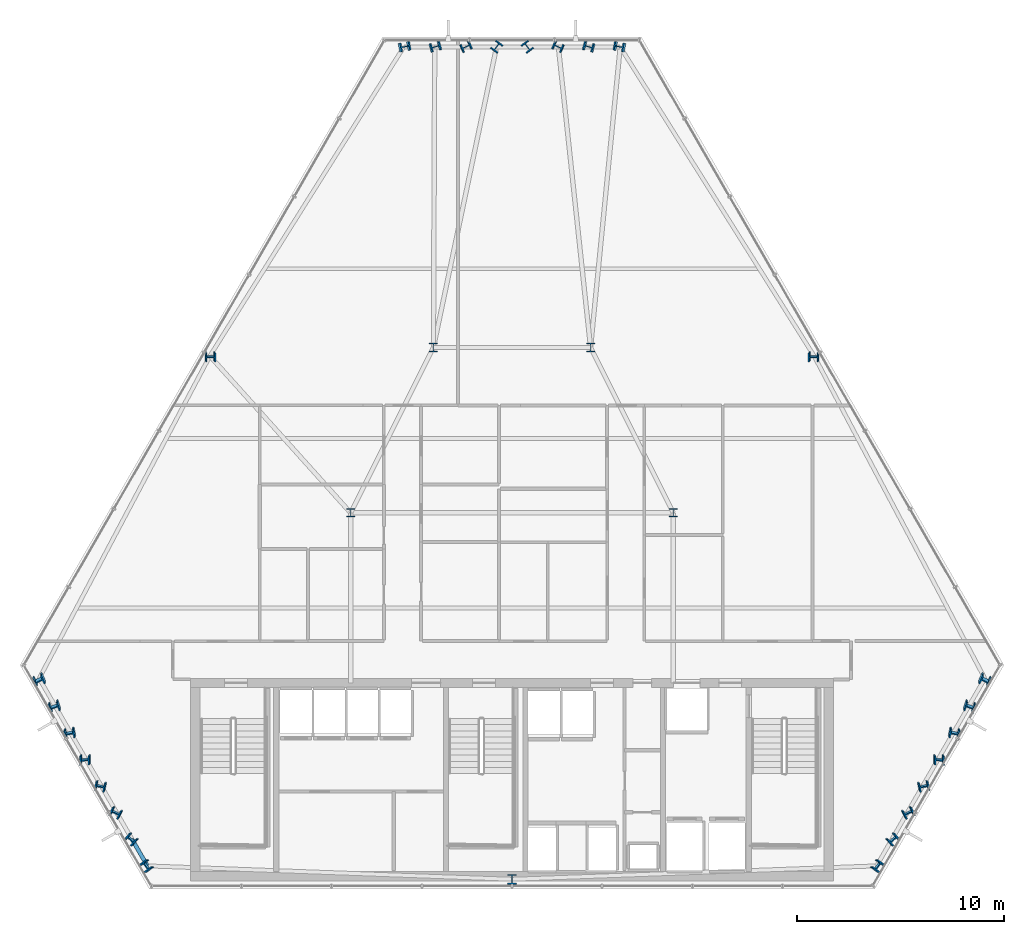
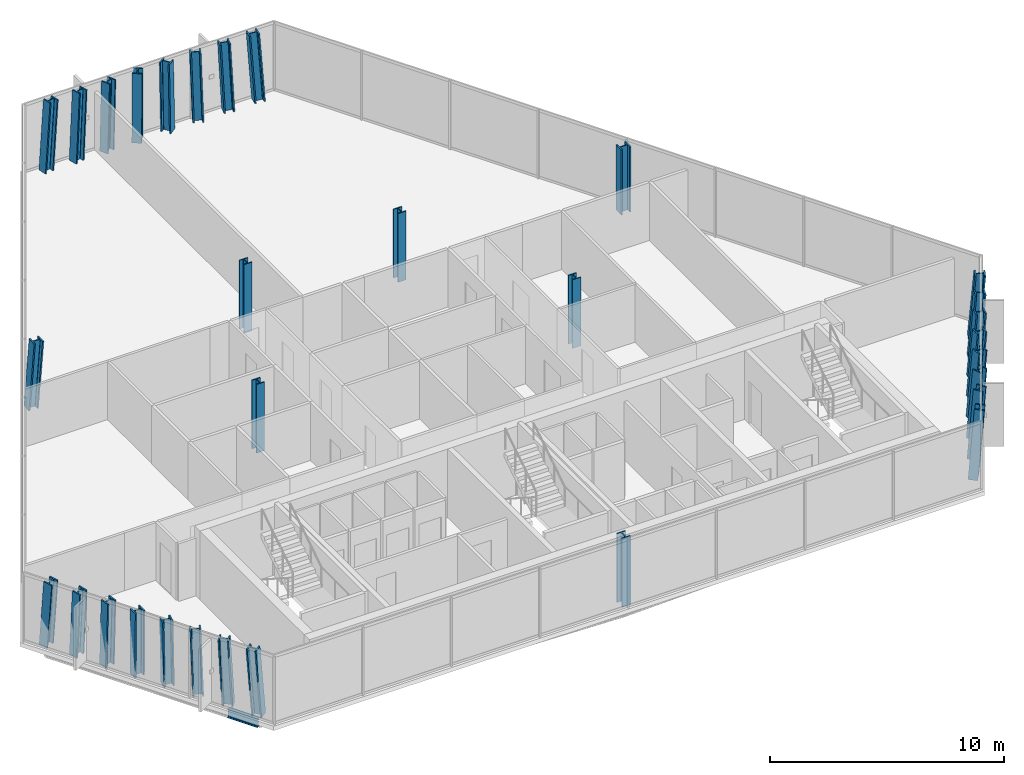
# One storey, part 1 of 32: 31 columns, 1 beam.
"""IFC4 building model written with IfcOpenShell, lengths in metres."""

import ifcopenshell
import ifcopenshell.guid

model = None  # the IFC model being written
_history = None  # IfcOwnerHistory: only IFC2X3 demands one
_inside = {}  # id of a spatial element -> (the spatial element, [elements in it])
_under = {}  # id of a project, library or spatial element -> (it, [spatial elements below it])
_declared = {}  # id of a project -> (the project, [libraries it declares])
_typed = {}  # id of a type object -> (the type object, [elements of that type])
_made_of = {}  # id of a material, layer set ... -> (it, [elements and type objects made of it])


def new_model(schema):
    """Start an empty IFC model of exactly this schema.

    Asked for "IFC4X3", IfcOpenShell would pick the latest addendum, in which some entities
    have other attributes; the version numbers below select the first issue.
    IFC2X3 requires an IfcOwnerHistory on every rooted entity: one is made here for all.
    """
    global model, _history
    if schema == "IFC4X3":
        model = ifcopenshell.file(schema_version=(4, 3, 0, 0))
    else:
        model = ifcopenshell.file(schema=schema)
    _inside.clear()
    _under.clear()
    _declared.clear()
    _typed.clear()
    _made_of.clear()
    _history = None
    if model.schema == "IFC2X3":
        org = make("IfcOrganization", Name="unknown")
        user = make(
            "IfcPersonAndOrganization",
            ThePerson=make("IfcPerson", FamilyName="unknown"),
            TheOrganization=org,
        )
        app = make(
            "IfcApplication",
            ApplicationDeveloper=org,
            Version="unknown",
            ApplicationFullName="unknown",
            ApplicationIdentifier="unknown",
        )
        _history = make(
            "IfcOwnerHistory",
            OwningUser=user,
            OwningApplication=app,
            ChangeAction="ADDED",
            CreationDate=0,
        )
    return model


def make(cls, **values):
    """One entity of the class cls with the attributes given. An attribute that is None is left unset."""
    return model.create_entity(
        cls, **{name: value for name, value in values.items() if value is not None}
    )


def rooted(cls, **values):
    """An entity with a GlobalId (a new one), such as an element, a storey or a relation."""
    return make(cls, GlobalId=ifcopenshell.guid.new(), OwnerHistory=_history, **values)


def si_unit(unit_type, name, prefix=None):
    """IfcSIUnit, for example si_unit("LENGTHUNIT", "METRE", prefix="MILLI")."""
    return make("IfcSIUnit", UnitType=unit_type, Prefix=prefix, Name=name)


def assignment(units):
    """IfcUnitAssignment: the units of a project."""
    return None if units is None else make("IfcUnitAssignment", Units=units)


def point(xyz):
    """IfcCartesianPoint."""
    return None if xyz is None else make("IfcCartesianPoint", Coordinates=xyz)


def direction(xyz):
    """IfcDirection."""
    return None if xyz is None else make("IfcDirection", DirectionRatios=xyz)


def frame(location, z_axis=None, x_axis=None):
    """IfcAxis2Placement3D, a coordinate frame: its origin and axes. An axis left out is left unset."""
    return make(
        "IfcAxis2Placement3D",
        Location=point(location),
        Axis=direction(z_axis),
        RefDirection=direction(x_axis),
    )


def frame_2d(location, x_axis=None):
    """IfcAxis2Placement2D, a coordinate frame in the plane: its origin and x axis."""
    return make(
        "IfcAxis2Placement2D", Location=point(location), RefDirection=direction(x_axis)
    )


def origin():
    """The frame at (0, 0, 0) with its axes left unset."""
    return frame((0.0, 0.0, 0.0))


def origin_2d():
    """The frame at (0, 0) in the plane with its x axis left unset."""
    return frame_2d((0.0, 0.0))


def place(relative_to, where):
    """IfcLocalPlacement: puts the frame where relative to a parent placement (None: the world)."""
    return make(
        "IfcLocalPlacement", PlacementRelTo=relative_to, RelativePlacement=where
    )


def context(
    kind, dimensions, precision=None, world=None, true_north=None, identifier=None
):
    """IfcGeometricRepresentationContext, for example the 3D "Model" context."""
    return make(
        "IfcGeometricRepresentationContext",
        ContextIdentifier=identifier,
        ContextType=kind,
        CoordinateSpaceDimension=dimensions,
        Precision=precision,
        WorldCoordinateSystem=world,
        TrueNorth=true_north,
    )


def subcontext(parent, identifier, kind, view, scale=None):
    """IfcGeometricRepresentationSubContext, for example "Body" below "Model"."""
    return make(
        "IfcGeometricRepresentationSubContext",
        ContextIdentifier=identifier,
        ContextType=kind,
        ParentContext=parent,
        TargetScale=scale,
        TargetView=view,
    )


def project(units=None, contexts=None):
    """IfcProject with its units and contexts."""
    return rooted(
        "IfcProject",
        Name="project",
        RepresentationContexts=contexts,
        UnitsInContext=assignment(units),
    )


def spatial(cls, under=None, at=None, **own):
    """A site, building, storey or space (cls), placed at a placement, below another one or the project."""
    s = rooted(cls, ObjectPlacement=at, **own)
    if under is not None:
        _under.setdefault(under.id(), (under, []))[1].append(s)
    return s


def profile(cls, at=None, kind="AREA", **sizes):
    """A parametric profile (cls). Its sizes go by their IFC names, for example OverallWidth=200.0."""
    return make(cls, ProfileType=kind, Position=at, **sizes)


def i_section(**sizes):
    """IfcIShapeProfileDef."""
    return profile("IfcIShapeProfileDef", **sizes)


def extrude(swept, where, along, depth):
    """IfcExtrudedAreaSolid: the profile swept, set in the frame where, extruded along a direction by depth."""
    return make(
        "IfcExtrudedAreaSolid",
        SweptArea=swept,
        Position=where,
        ExtrudedDirection=direction(along),
        Depth=depth,
    )


def shape(context_of_items, identifier, shape_type, items):
    """IfcShapeRepresentation: the items that make up one representation, for example the "Body"."""
    return make(
        "IfcShapeRepresentation",
        ContextOfItems=context_of_items,
        RepresentationIdentifier=identifier,
        RepresentationType=shape_type,
        Items=items,
    )


def material(Name=None, Category=None):
    """IfcMaterial."""
    return make("IfcMaterial", Name=Name, Category=Category)


def material_profile(
    of_material, cross_section, Name=None, Category=None, Priority=None
):
    """IfcMaterialProfile: a cross section and its material."""
    return make(
        "IfcMaterialProfile",
        Name=Name,
        Material=of_material,
        Profile=cross_section,
        Priority=Priority,
        Category=Category,
    )


def profile_set(profiles, Name=None, composite=None):
    """IfcMaterialProfileSet."""
    return make(
        "IfcMaterialProfileSet",
        Name=Name,
        MaterialProfiles=profiles,
        CompositeProfile=composite,
    )


def made_of(thing, what):
    """Note that an element or type object is made of a material, layer set ...; save() writes the relation."""
    if what is not None:
        _made_of.setdefault(what.id(), (what, []))[1].append(thing)
    return thing


def type_object(cls, material=None, **own):
    """A type object (cls), such as IfcWallType, which elements share."""
    return made_of(rooted(cls, **own), material)


def element(
    cls,
    number,
    at=None,
    inside=None,
    cuts=None,
    type_object=None,
    material=None,
    context=None,
    identifier="Body",
    shape_type=None,
    held_by="IfcProductDefinitionShape",
    body=None,
    shapes=None,
    **own,
):
    """One element of the class cls, such as IfcWall. Its Tag is "e" and its number.

    at: its placement. inside: the storey or other place that contains it. cuts: it is an
    opening in that element (IfcRelVoidsElement). A single representation is given by context,
    identifier, shape_type and body (its items); several are given by shapes. held_by: the class
    of the entity that holds the representations. save() writes the other relations.
    """
    e = rooted(cls, Tag="e%d" % number, ObjectPlacement=at, **own)
    if body is not None:
        shapes = [shape(context, identifier, shape_type, body)]
    if shapes is not None:
        e.Representation = make(held_by, Representations=shapes)
    if inside is not None:
        _inside.setdefault(inside.id(), (inside, []))[1].append(e)
    if cuts is not None:
        rooted(
            "IfcRelVoidsElement", RelatingBuildingElement=cuts, RelatedOpeningElement=e
        )
    if type_object is not None:
        _typed.setdefault(type_object.id(), (type_object, []))[1].append(e)
    return made_of(e, material)


def aggregate(whole, parts):
    """IfcRelAggregates: a whole, such as a stair, and the parts it consists of."""
    return rooted("IfcRelAggregates", RelatingObject=whole, RelatedObjects=parts)


def save(model, path):
    """Write the relations noted so far, then the file.

    IfcRelAggregates (storeys below a building ...), IfcRelContainedInSpatialStructure (elements
    in a storey), IfcRelDefinesByType, IfcRelAssociatesMaterial and IfcRelDeclares: one each for
    every whole, place, type object, material and project.
    """
    for whole, parts in _under.values():
        aggregate(whole, parts)
    for where, things in _inside.values():
        rooted(
            "IfcRelContainedInSpatialStructure",
            RelatedElements=things,
            RelatingStructure=where,
        )
    for kind, things in _typed.values():
        rooted("IfcRelDefinesByType", RelatedObjects=things, RelatingType=kind)
    for what, things in _made_of.values():
        rooted("IfcRelAssociatesMaterial", RelatedObjects=things, RelatingMaterial=what)
    for by, libraries in _declared.values():
        rooted("IfcRelDeclares", RelatingContext=by, RelatedDefinitions=libraries)
    model.write(path)


model = new_model("IFC4")

# Units and contexts
model_context = context("Model", 3, precision=1e-05, world=origin(), true_north=direction((0.0, 1.0)))
body_context = subcontext(model_context, "Body", "Model", "MODEL_VIEW")
ifc_project = project(units=[si_unit("LENGTHUNIT", "METRE"), si_unit("AREAUNIT", "SQUARE_METRE"), si_unit("VOLUMEUNIT", "CUBIC_METRE"), si_unit("PLANEANGLEUNIT", "RADIAN"), si_unit("MASSUNIT", "GRAM", prefix="KILO")], contexts=[model_context])

# Site, building, storey
site_placement = place(None, origin())
site = spatial("IfcSite", under=ifc_project, at=site_placement, CompositionType="ELEMENT")
building_placement = place(site_placement, origin())
building = spatial("IfcBuilding", under=site, at=building_placement, Name="Ndaravel Arena Tower", CompositionType="ELEMENT")
storey_placement = place(building_placement, frame((0.0, 0.0, 134.60009765625)))
storey = spatial("IfcBuildingStorey", under=building, at=storey_placement, Name="L31", CompositionType="ELEMENT", Elevation=134.60009765625)

# Columns
ifc_material_1 = material(Name="Steel S355", Category="steel")
ifc_material_profile_1 = material_profile(ifc_material_1, i_section(OverallWidth=0.406982421875, OverallDepth=0.4189453125, WebThickness=0.030517578125, FlangeThickness=0.04931640625, FilletRadius=0.01513671875, at=origin_2d()), Name="UC 356x406x393")
ifc_profile_set_1 = profile_set([ifc_material_profile_1], Name="Steel S355")
column_type_1 = type_object("IfcColumnType", Name="COL-INT-UC393", PredefinedType="COLUMN", material=ifc_profile_set_1)
for number, where, z_axis, x_axis, name in (
    (1, (34.199951171875, 23.199951171875, 0.0), (0.0, 0.0, 1.0), (1.0, 0.0, 0.0), "L31 Interior Spine Column IC-01"),
    (2, (49.800048828125, 23.199951171875, 0.0), (0.0, 0.0, 1.0), (1.0, 0.0, 0.0), "L31 Interior Spine Column IC-02"),
    (3, (38.199951171875, 31.199951171875, 0.0), (0.0, 0.0, 1.0), (1.0, 0.0, 0.0), "L31 Interior Spine Column IC-03"),
    (4, (45.800048828125, 31.199951171875, 0.0), (0.0, 0.0, 1.0), (1.0, 0.0, 0.0), "L31 Interior Spine Column IC-04"),
):
    element("IfcColumn", number, at=place(storey_placement, frame(where, z_axis=z_axis, x_axis=x_axis)), inside=storey, type_object=column_type_1, Name=name, PredefinedType="COLUMN", context=body_context, shape_type="SweptSolid", body=[
        extrude(i_section(OverallWidth=0.406982421875, OverallDepth=0.4189453125, WebThickness=0.030517578125, FlangeThickness=0.04931640625, FilletRadius=0.01513671875, at=origin_2d()), origin(), (0.0, 0.0, 1.0), 3.579833984375),
    ])
ifc_material_2 = material(Name="Steel S355", Category="steel")
ifc_material_profile_2 = material_profile(ifc_material_2, i_section(OverallWidth=0.427978515625, OverallDepth=0.48095703125, WebThickness=0.051025390625, FlangeThickness=0.06494140625, FilletRadius=0.014892578125, at=origin_2d()), Name="HD 400x677")
ifc_profile_set_2 = profile_set([ifc_material_profile_2], Name="Steel S355")
column_type_2 = type_object("IfcColumnType", Name="COL-TUBE-HD677", PredefinedType="COLUMN", material=ifc_profile_set_2)
column_1_placement = place(storey_placement, frame((42.0, 5.47998046875, 0.0), z_axis=(0.0, 0.0, 1.0), x_axis=(1.0, 0.0, 0.0)))
element("IfcColumn", 5, at=column_1_placement, inside=storey, type_object=column_type_2, Name="L31 Framed Tube Column TC-01", PredefinedType="COLUMN", context=body_context, shape_type="SweptSolid", body=[
    extrude(i_section(OverallWidth=0.427978515625, OverallDepth=0.48095703125, WebThickness=0.051025390625, FlangeThickness=0.06494140625, FilletRadius=0.014892578125, at=origin_2d()), origin(), (0.0, 0.0, 1.0), 3.579833984375),
])
column_2_placement = place(storey_placement, frame((59.6337890625, 6.127685546875, 0.0), z_axis=(0.082845480977, -0.008699115312, 0.996524436065), x_axis=(-0.806081735836, 0.587390797431, 0.072140739143)))
element("IfcColumn", 6, at=column_2_placement, inside=storey, type_object=column_type_2, Name="L31 Framed Tube Column TC-02", PredefinedType="COLUMN", context=body_context, shape_type="SweptSolid", body=[
    extrude(i_section(OverallWidth=0.427978515625, OverallDepth=0.48095703125, WebThickness=0.051025390625, FlangeThickness=0.06494140625, FilletRadius=0.014892578125, at=origin_2d()), origin(), (0.0, 0.0, 1.0), 3.59228515625),
])
column_3_placement = place(storey_placement, frame((60.381591796875, 7.422607421875, 0.0), z_axis=(0.07288998382, -0.025973856175, 0.997001709655), x_axis=(-0.645498709564, 0.760815827084, 0.0670126347)))
element("IfcColumn", 7, at=column_3_placement, inside=storey, type_object=column_type_2, Name="L31 Framed Tube Column TC-03", PredefinedType="COLUMN", context=body_context, shape_type="SweptSolid", body=[
    extrude(i_section(OverallWidth=0.427978515625, OverallDepth=0.48095703125, WebThickness=0.051025390625, FlangeThickness=0.06494140625, FilletRadius=0.014892578125, at=origin_2d()), origin(), (0.0, 0.0, 1.0), 3.590576171875),
])
column_4_placement = place(storey_placement, frame((61.129150390625, 8.7177734375, 0.0), z_axis=(0.062899711011, -0.043315800988, 0.997079418973), x_axis=(-0.427589893867, 0.90155000331, 0.066139807948)))
element("IfcColumn", 8, at=column_4_placement, inside=storey, type_object=column_type_2, Name="L31 Framed Tube Column TC-04", PredefinedType="COLUMN", context=body_context, shape_type="SweptSolid", body=[
    extrude(i_section(OverallWidth=0.427978515625, OverallDepth=0.48095703125, WebThickness=0.051025390625, FlangeThickness=0.06494140625, FilletRadius=0.014892578125, at=origin_2d()), origin(), (0.0, 0.0, 1.0), 3.59033203125),
])
column_5_placement = place(storey_placement, frame((61.876953125, 10.012939453125, 0.0), z_axis=(0.052886696014, -0.060636160468, 0.996757871014), x_axis=(-0.190588187713, 0.979193970966, 0.069680054023)))
element("IfcColumn", 9, at=column_5_placement, inside=storey, type_object=column_type_2, Name="L31 Framed Tube Column TC-05", PredefinedType="COLUMN", context=body_context, shape_type="SweptSolid", body=[
    extrude(i_section(OverallWidth=0.427978515625, OverallDepth=0.48095703125, WebThickness=0.051025390625, FlangeThickness=0.06494140625, FilletRadius=0.014892578125, at=origin_2d()), origin(), (0.0, 0.0, 1.0), 3.591552734375),
])
column_6_placement = place(storey_placement, frame((62.624755859375, 11.30810546875, 0.0), z_axis=(0.042862996572, -0.077914195036, 0.99603822303), x_axis=(0.022307462558, 0.996780559309, 0.077012295755)))
element("IfcColumn", 10, at=column_6_placement, inside=storey, type_object=column_type_2, Name="L31 Framed Tube Column TC-06", PredefinedType="COLUMN", context=body_context, shape_type="SweptSolid", body=[
    extrude(i_section(OverallWidth=0.427978515625, OverallDepth=0.48095703125, WebThickness=0.051025390625, FlangeThickness=0.06494140625, FilletRadius=0.014892578125, at=origin_2d()), origin(), (0.0, 0.0, 1.0), 3.593994140625),
])
column_7_placement = place(storey_placement, frame((63.37255859375, 12.603271484375, 0.0), z_axis=(0.032772891404, -0.095129593681, 0.994925272568), x_axis=(0.1920823235, 0.977502738868, 0.087136539429)))
element("IfcColumn", 11, at=column_7_placement, inside=storey, type_object=column_type_2, Name="L31 Framed Tube Column TC-07", PredefinedType="COLUMN", context=body_context, shape_type="SweptSolid", body=[
    extrude(i_section(OverallWidth=0.427978515625, OverallDepth=0.48095703125, WebThickness=0.051025390625, FlangeThickness=0.06494140625, FilletRadius=0.014892578125, at=origin_2d()), origin(), (0.0, 0.0, 1.0), 3.59814453125),
])
column_8_placement = place(storey_placement, frame((64.1201171875, 13.8984375, 0.0), z_axis=(0.02283170652, -0.112261536212, 0.993416358162), x_axis=(0.31850718371, 0.942714283027, 0.099211665148)))
element("IfcColumn", 12, at=column_8_placement, inside=storey, type_object=column_type_2, Name="L31 Framed Tube Column TC-08", PredefinedType="COLUMN", context=body_context, shape_type="SweptSolid", body=[
    extrude(i_section(OverallWidth=0.427978515625, OverallDepth=0.48095703125, WebThickness=0.051025390625, FlangeThickness=0.06494140625, FilletRadius=0.014892578125, at=origin_2d()), origin(), (0.0, 0.0, 1.0), 3.603515625),
])
column_9_placement = place(storey_placement, frame((64.867919921875, 15.193603515625, 0.0), z_axis=(0.01278033811, -0.129291039507, 0.99152432651), x_axis=(0.41310613672, 0.903705531327, 0.112515032126)))
element("IfcColumn", 13, at=column_9_placement, inside=storey, type_object=column_type_2, Name="L31 Framed Tube Column TC-09", PredefinedType="COLUMN", context=body_context, shape_type="SweptSolid", body=[
    extrude(i_section(OverallWidth=0.427978515625, OverallDepth=0.48095703125, WebThickness=0.051025390625, FlangeThickness=0.06494140625, FilletRadius=0.014892578125, at=origin_2d()), origin(), (0.0, 0.0, 1.0), 3.6103515625),
])
column_10_placement = place(storey_placement, frame((56.61181640625, 30.78857421875, 0.0), z_axis=(-0.03605116615, -0.062511361682, 0.997392923115), x_axis=(-0.001605432576, 0.998044039557, 0.062494141246)))
element("IfcColumn", 14, at=column_10_placement, inside=storey, type_object=column_type_2, Name="L31 Framed Tube Column TC-10", PredefinedType="COLUMN", context=body_context, shape_type="SweptSolid", body=[
    extrude(i_section(OverallWidth=0.427978515625, OverallDepth=0.48095703125, WebThickness=0.051025390625, FlangeThickness=0.06494140625, FilletRadius=0.014892578125, at=origin_2d()), origin(), (0.0, 0.0, 1.0), 3.589111328125),
])
column_11_placement = place(storey_placement, frame((47.234375, 45.736083984375, 0.0), z_axis=(-0.070065681514, 0.013604986702, 0.997449600035), x_axis=(-0.190614555111, -0.981664958822, 0.0)))
element("IfcColumn", 15, at=column_11_placement, inside=storey, type_object=column_type_2, Name="L31 Framed Tube Column TC-11", PredefinedType="COLUMN", context=body_context, shape_type="SweptSolid", body=[
    extrude(i_section(OverallWidth=0.427978515625, OverallDepth=0.48095703125, WebThickness=0.051025390625, FlangeThickness=0.06494140625, FilletRadius=0.014892578125, at=origin_2d()), origin(), (0.0, 0.0, 1.0), 3.5888671875),
])
column_12_placement = place(storey_placement, frame((45.73876953125, 45.736083984375, 0.0), z_axis=(-0.050126603366, 0.01362135961, 0.998649979821), x_axis=(-0.262229747612, -0.965005471211, 0.0)))
element("IfcColumn", 16, at=column_12_placement, inside=storey, type_object=column_type_2, Name="L31 Framed Tube Column TC-12", PredefinedType="COLUMN", context=body_context, shape_type="SweptSolid", body=[
    extrude(i_section(OverallWidth=0.427978515625, OverallDepth=0.48095703125, WebThickness=0.051025390625, FlangeThickness=0.06494140625, FilletRadius=0.014892578125, at=origin_2d()), origin(), (0.0, 0.0, 1.0), 3.584716796875),
])
column_13_placement = place(storey_placement, frame((44.243408203125, 45.736083984375, 0.0), z_axis=(-0.03012741391, 0.013632313987, 0.999453099923), x_axis=(-0.412249348078, -0.911071059253, 0.0)))
element("IfcColumn", 17, at=column_13_placement, inside=storey, type_object=column_type_2, Name="L31 Framed Tube Column TC-13", PredefinedType="COLUMN", context=body_context, shape_type="SweptSolid", body=[
    extrude(i_section(OverallWidth=0.427978515625, OverallDepth=0.48095703125, WebThickness=0.051025390625, FlangeThickness=0.06494140625, FilletRadius=0.014892578125, at=origin_2d()), origin(), (0.0, 0.0, 1.0), 3.581787109375),
])
for number, where, z_axis, x_axis, name in (
    (18, (42.747802734375, 45.736083984375, 0.0), (-0.010023797531, 0.01363781977, 0.999856756418), (-0.805764103538, -0.5922366161, 0.0), "L31 Framed Tube Column TC-14"),
    (19, (41.252197265625, 45.736083984375, 0.0), (0.010023797531, 0.01363781977, 0.999856756418), (-0.805764103538, 0.5922366161, 0.0), "L31 Framed Tube Column TC-15"),
):
    element("IfcColumn", number, at=place(storey_placement, frame(where, z_axis=z_axis, x_axis=x_axis)), inside=storey, type_object=column_type_2, Name=name, PredefinedType="COLUMN", context=body_context, shape_type="SweptSolid", body=[
        extrude(i_section(OverallWidth=0.427978515625, OverallDepth=0.48095703125, WebThickness=0.051025390625, FlangeThickness=0.06494140625, FilletRadius=0.014892578125, at=origin_2d()), origin(), (0.0, 0.0, 1.0), 3.580322265625),
    ])
column_14_placement = place(storey_placement, frame((39.756591796875, 45.736083984375, 0.0), z_axis=(0.03012741391, 0.013632313987, 0.999453099923), x_axis=(-0.412249348078, 0.911071059253, 0.0)))
element("IfcColumn", 20, at=column_14_placement, inside=storey, type_object=column_type_2, Name="L31 Framed Tube Column TC-16", PredefinedType="COLUMN", context=body_context, shape_type="SweptSolid", body=[
    extrude(i_section(OverallWidth=0.427978515625, OverallDepth=0.48095703125, WebThickness=0.051025390625, FlangeThickness=0.06494140625, FilletRadius=0.014892578125, at=origin_2d()), origin(), (0.0, 0.0, 1.0), 3.581787109375),
])
column_15_placement = place(storey_placement, frame((38.26123046875, 45.736083984375, 0.0), z_axis=(0.050126603366, 0.01362135961, 0.998649979821), x_axis=(-0.262229747612, 0.965005471211, 0.0)))
element("IfcColumn", 21, at=column_15_placement, inside=storey, type_object=column_type_2, Name="L31 Framed Tube Column TC-17", PredefinedType="COLUMN", context=body_context, shape_type="SweptSolid", body=[
    extrude(i_section(OverallWidth=0.427978515625, OverallDepth=0.48095703125, WebThickness=0.051025390625, FlangeThickness=0.06494140625, FilletRadius=0.014892578125, at=origin_2d()), origin(), (0.0, 0.0, 1.0), 3.584716796875),
])
column_16_placement = place(storey_placement, frame((36.765625, 45.736083984375, 0.0), z_axis=(0.070065681514, 0.013604986702, 0.997449600035), x_axis=(-0.190614555111, 0.981664958822, 0.0)))
element("IfcColumn", 22, at=column_16_placement, inside=storey, type_object=column_type_2, Name="L31 Framed Tube Column TC-18", PredefinedType="COLUMN", context=body_context, shape_type="SweptSolid", body=[
    extrude(i_section(OverallWidth=0.427978515625, OverallDepth=0.48095703125, WebThickness=0.051025390625, FlangeThickness=0.06494140625, FilletRadius=0.014892578125, at=origin_2d()), origin(), (0.0, 0.0, 1.0), 3.5888671875),
])
column_17_placement = place(storey_placement, frame((27.38818359375, 30.78857421875, 0.0), z_axis=(0.03605116615, -0.062511361682, 0.997392923115), x_axis=(0.001605432576, 0.998044039557, 0.062494141246)))
element("IfcColumn", 23, at=column_17_placement, inside=storey, type_object=column_type_2, Name="L31 Framed Tube Column TC-19", PredefinedType="COLUMN", context=body_context, shape_type="SweptSolid", body=[
    extrude(i_section(OverallWidth=0.427978515625, OverallDepth=0.48095703125, WebThickness=0.051025390625, FlangeThickness=0.06494140625, FilletRadius=0.014892578125, at=origin_2d()), origin(), (0.0, 0.0, 1.0), 3.589111328125),
])
column_18_placement = place(storey_placement, frame((19.132080078125, 15.193603515625, 0.0), z_axis=(-0.01278033811, -0.129291039507, 0.99152432651), x_axis=(-0.41310613672, 0.903705531327, 0.112515032126)))
element("IfcColumn", 24, at=column_18_placement, inside=storey, type_object=column_type_2, Name="L31 Framed Tube Column TC-20", PredefinedType="COLUMN", context=body_context, shape_type="SweptSolid", body=[
    extrude(i_section(OverallWidth=0.427978515625, OverallDepth=0.48095703125, WebThickness=0.051025390625, FlangeThickness=0.06494140625, FilletRadius=0.014892578125, at=origin_2d()), origin(), (0.0, 0.0, 1.0), 3.6103515625),
])
column_19_placement = place(storey_placement, frame((19.8798828125, 13.8984375, 0.0), z_axis=(-0.02283170652, -0.112261536212, 0.993416358162), x_axis=(-0.31850718371, 0.942714283027, 0.099211665148)))
element("IfcColumn", 25, at=column_19_placement, inside=storey, type_object=column_type_2, Name="L31 Framed Tube Column TC-21", PredefinedType="COLUMN", context=body_context, shape_type="SweptSolid", body=[
    extrude(i_section(OverallWidth=0.427978515625, OverallDepth=0.48095703125, WebThickness=0.051025390625, FlangeThickness=0.06494140625, FilletRadius=0.014892578125, at=origin_2d()), origin(), (0.0, 0.0, 1.0), 3.603515625),
])
column_20_placement = place(storey_placement, frame((20.62744140625, 12.603271484375, 0.0), z_axis=(-0.032772891404, -0.095129593681, 0.994925272568), x_axis=(-0.1920823235, 0.977502738868, 0.087136539429)))
element("IfcColumn", 26, at=column_20_placement, inside=storey, type_object=column_type_2, Name="L31 Framed Tube Column TC-22", PredefinedType="COLUMN", context=body_context, shape_type="SweptSolid", body=[
    extrude(i_section(OverallWidth=0.427978515625, OverallDepth=0.48095703125, WebThickness=0.051025390625, FlangeThickness=0.06494140625, FilletRadius=0.014892578125, at=origin_2d()), origin(), (0.0, 0.0, 1.0), 3.59814453125),
])
column_21_placement = place(storey_placement, frame((21.375244140625, 11.30810546875, 0.0), z_axis=(-0.042862996572, -0.077914195036, 0.99603822303), x_axis=(-0.022307462558, 0.996780559309, 0.077012295755)))
element("IfcColumn", 27, at=column_21_placement, inside=storey, type_object=column_type_2, Name="L31 Framed Tube Column TC-23", PredefinedType="COLUMN", context=body_context, shape_type="SweptSolid", body=[
    extrude(i_section(OverallWidth=0.427978515625, OverallDepth=0.48095703125, WebThickness=0.051025390625, FlangeThickness=0.06494140625, FilletRadius=0.014892578125, at=origin_2d()), origin(), (0.0, 0.0, 1.0), 3.593994140625),
])
column_22_placement = place(storey_placement, frame((22.123046875, 10.012939453125, 0.0), z_axis=(-0.052886696014, -0.060636160468, 0.996757871014), x_axis=(0.190588187713, 0.979193970966, 0.069680054023)))
element("IfcColumn", 28, at=column_22_placement, inside=storey, type_object=column_type_2, Name="L31 Framed Tube Column TC-24", PredefinedType="COLUMN", context=body_context, shape_type="SweptSolid", body=[
    extrude(i_section(OverallWidth=0.427978515625, OverallDepth=0.48095703125, WebThickness=0.051025390625, FlangeThickness=0.06494140625, FilletRadius=0.014892578125, at=origin_2d()), origin(), (0.0, 0.0, 1.0), 3.591552734375),
])
column_23_placement = place(storey_placement, frame((22.870849609375, 8.7177734375, 0.0), z_axis=(-0.062899711011, -0.043315800988, 0.997079418973), x_axis=(0.427589893867, 0.90155000331, 0.066139807948)))
element("IfcColumn", 29, at=column_23_placement, inside=storey, type_object=column_type_2, Name="L31 Framed Tube Column TC-25", PredefinedType="COLUMN", context=body_context, shape_type="SweptSolid", body=[
    extrude(i_section(OverallWidth=0.427978515625, OverallDepth=0.48095703125, WebThickness=0.051025390625, FlangeThickness=0.06494140625, FilletRadius=0.014892578125, at=origin_2d()), origin(), (0.0, 0.0, 1.0), 3.59033203125),
])
column_24_placement = place(storey_placement, frame((23.618408203125, 7.422607421875, 0.0), z_axis=(-0.07288998382, -0.025973856175, 0.997001709655), x_axis=(0.645498709564, 0.760815827084, 0.0670126347)))
element("IfcColumn", 30, at=column_24_placement, inside=storey, type_object=column_type_2, Name="L31 Framed Tube Column TC-26", PredefinedType="COLUMN", context=body_context, shape_type="SweptSolid", body=[
    extrude(i_section(OverallWidth=0.427978515625, OverallDepth=0.48095703125, WebThickness=0.051025390625, FlangeThickness=0.06494140625, FilletRadius=0.014892578125, at=origin_2d()), origin(), (0.0, 0.0, 1.0), 3.590576171875),
])
column_25_placement = place(storey_placement, frame((24.3662109375, 6.127685546875, 0.0), z_axis=(-0.082845480977, -0.008699115312, 0.996524436065), x_axis=(0.806081735836, 0.587390797431, 0.072140739143)))
element("IfcColumn", 31, at=column_25_placement, inside=storey, type_object=column_type_2, Name="L31 Framed Tube Column TC-27", PredefinedType="COLUMN", context=body_context, shape_type="SweptSolid", body=[
    extrude(i_section(OverallWidth=0.427978515625, OverallDepth=0.48095703125, WebThickness=0.051025390625, FlangeThickness=0.06494140625, FilletRadius=0.014892578125, at=origin_2d()), origin(), (0.0, 0.0, 1.0), 3.59228515625),
])

# Beam
ifc_material_3 = material(Name="Steel S355", Category="steel")
ifc_material_profile_3 = material_profile(ifc_material_3, i_section(OverallWidth=0.18994140625, OverallDepth=0.449951171875, WebThickness=0.009521484375, FlangeThickness=0.0146484375, FilletRadius=0.02099609375, at=origin_2d()), Name="IPE 450")
ifc_profile_set_3 = profile_set([ifc_material_profile_3], Name="Steel S355")
beam_type = type_object("IfcBeamType", Name="BM-SPAN-IPE450", PredefinedType="SPANDREL", material=ifc_profile_set_3)
beam_placement = place(storey_placement, frame((23.618408203125, 7.422607421875, -0.445068359375), z_axis=(0.500089897431, -0.865973495257, 0.0), x_axis=(0.865973495257, 0.500089897431, 0.0)))
element("IfcBeam", 32, at=beam_placement, inside=storey, type_object=beam_type, Name="L31 Perimeter Spandrel Beam SP-26", PredefinedType="SPANDREL", context=body_context, shape_type="SweptSolid", body=[
    extrude(i_section(OverallWidth=0.18994140625, OverallDepth=0.449951171875, WebThickness=0.009521484375, FlangeThickness=0.0146484375, FilletRadius=0.02099609375, at=origin_2d()), origin(), (0.0, 0.0, 1.0), 1.495361328125),
])

save(model, "model.ifc")
